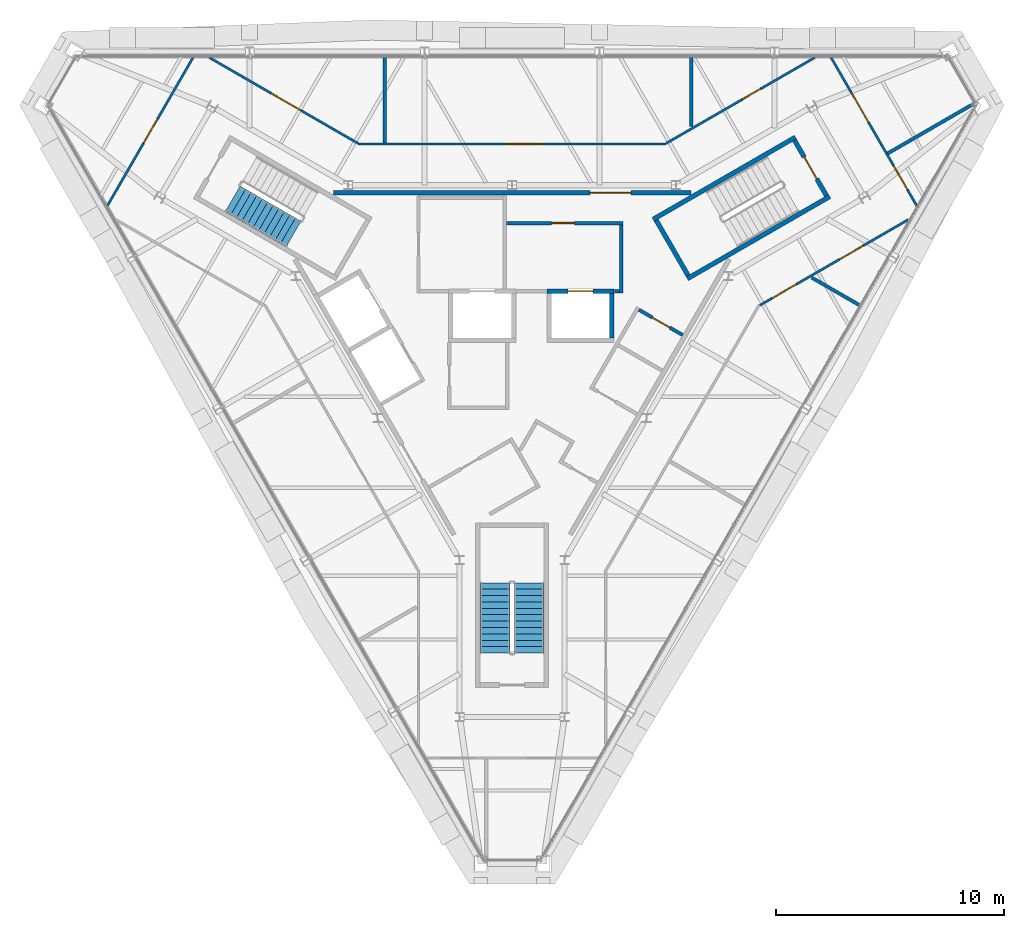
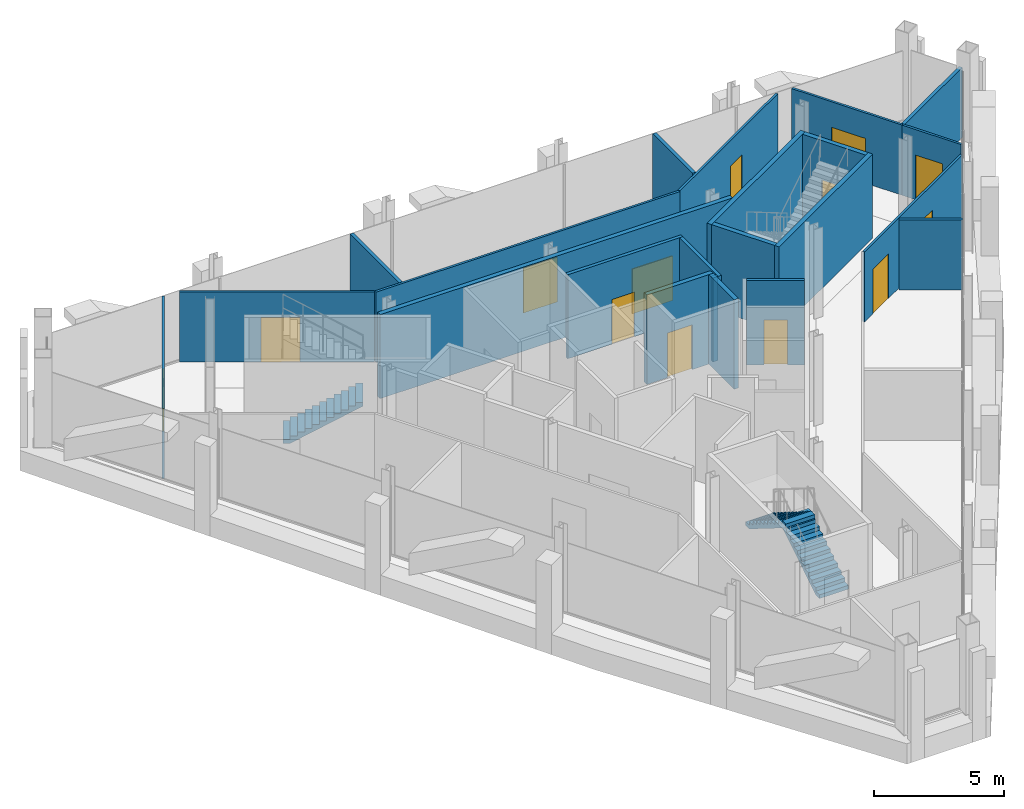
# One storey, part 10 of 13: 22 walls, 13 doors, 3 stair flights, 13 openings, 2 elements without a shape of their own.
"""IFC4 building model written with IfcOpenShell, lengths in metres."""

import ifcopenshell
import ifcopenshell.guid

model = None  # the IFC model being written
_history = None  # IfcOwnerHistory: only IFC2X3 demands one
_inside = {}  # id of a spatial element -> (the spatial element, [elements in it])
_under = {}  # id of a project, library or spatial element -> (it, [spatial elements below it])
_declared = {}  # id of a project -> (the project, [libraries it declares])
_typed = {}  # id of a type object -> (the type object, [elements of that type])
_made_of = {}  # id of a material, layer set ... -> (it, [elements and type objects made of it])


def new_model(schema):
    """Start an empty IFC model of exactly this schema.

    Asked for "IFC4X3", IfcOpenShell would pick the latest addendum, in which some entities
    have other attributes; the version numbers below select the first issue.
    IFC2X3 requires an IfcOwnerHistory on every rooted entity: one is made here for all.
    """
    global model, _history
    if schema == "IFC4X3":
        model = ifcopenshell.file(schema_version=(4, 3, 0, 0))
    else:
        model = ifcopenshell.file(schema=schema)
    _inside.clear()
    _under.clear()
    _declared.clear()
    _typed.clear()
    _made_of.clear()
    _history = None
    if model.schema == "IFC2X3":
        org = make("IfcOrganization", Name="unknown")
        user = make(
            "IfcPersonAndOrganization",
            ThePerson=make("IfcPerson", FamilyName="unknown"),
            TheOrganization=org,
        )
        app = make(
            "IfcApplication",
            ApplicationDeveloper=org,
            Version="unknown",
            ApplicationFullName="unknown",
            ApplicationIdentifier="unknown",
        )
        _history = make(
            "IfcOwnerHistory",
            OwningUser=user,
            OwningApplication=app,
            ChangeAction="ADDED",
            CreationDate=0,
        )
    return model


def make(cls, **values):
    """One entity of the class cls with the attributes given. An attribute that is None is left unset."""
    return model.create_entity(
        cls, **{name: value for name, value in values.items() if value is not None}
    )


def rooted(cls, **values):
    """An entity with a GlobalId (a new one), such as an element, a storey or a relation."""
    return make(cls, GlobalId=ifcopenshell.guid.new(), OwnerHistory=_history, **values)


def si_unit(unit_type, name, prefix=None):
    """IfcSIUnit, for example si_unit("LENGTHUNIT", "METRE", prefix="MILLI")."""
    return make("IfcSIUnit", UnitType=unit_type, Prefix=prefix, Name=name)


def assignment(units):
    """IfcUnitAssignment: the units of a project."""
    return None if units is None else make("IfcUnitAssignment", Units=units)


def point(xyz):
    """IfcCartesianPoint."""
    return None if xyz is None else make("IfcCartesianPoint", Coordinates=xyz)


def direction(xyz):
    """IfcDirection."""
    return None if xyz is None else make("IfcDirection", DirectionRatios=xyz)


def frame(location, z_axis=None, x_axis=None):
    """IfcAxis2Placement3D, a coordinate frame: its origin and axes. An axis left out is left unset."""
    return make(
        "IfcAxis2Placement3D",
        Location=point(location),
        Axis=direction(z_axis),
        RefDirection=direction(x_axis),
    )


def frame_2d(location, x_axis=None):
    """IfcAxis2Placement2D, a coordinate frame in the plane: its origin and x axis."""
    return make(
        "IfcAxis2Placement2D", Location=point(location), RefDirection=direction(x_axis)
    )


def origin():
    """The frame at (0, 0, 0) with its axes left unset."""
    return frame((0.0, 0.0, 0.0))


def place(relative_to, where):
    """IfcLocalPlacement: puts the frame where relative to a parent placement (None: the world)."""
    return make(
        "IfcLocalPlacement", PlacementRelTo=relative_to, RelativePlacement=where
    )


def context(
    kind, dimensions, precision=None, world=None, true_north=None, identifier=None
):
    """IfcGeometricRepresentationContext, for example the 3D "Model" context."""
    return make(
        "IfcGeometricRepresentationContext",
        ContextIdentifier=identifier,
        ContextType=kind,
        CoordinateSpaceDimension=dimensions,
        Precision=precision,
        WorldCoordinateSystem=world,
        TrueNorth=true_north,
    )


def subcontext(parent, identifier, kind, view, scale=None):
    """IfcGeometricRepresentationSubContext, for example "Body" below "Model"."""
    return make(
        "IfcGeometricRepresentationSubContext",
        ContextIdentifier=identifier,
        ContextType=kind,
        ParentContext=parent,
        TargetScale=scale,
        TargetView=view,
    )


def project(units=None, contexts=None):
    """IfcProject with its units and contexts."""
    return rooted(
        "IfcProject",
        Name="project",
        RepresentationContexts=contexts,
        UnitsInContext=assignment(units),
    )


def spatial(cls, under=None, at=None, **own):
    """A site, building, storey or space (cls), placed at a placement, below another one or the project."""
    s = rooted(cls, ObjectPlacement=at, **own)
    if under is not None:
        _under.setdefault(under.id(), (under, []))[1].append(s)
    return s


def polyline(points):
    """IfcPolyline through the points."""
    return make("IfcPolyline", Points=[point(p) for p in points])


def profile(cls, at=None, kind="AREA", **sizes):
    """A parametric profile (cls). Its sizes go by their IFC names, for example OverallWidth=200.0."""
    return make(cls, ProfileType=kind, Position=at, **sizes)


def rectangle(**sizes):
    """IfcRectangleProfileDef."""
    return profile("IfcRectangleProfileDef", **sizes)


def outline(outer, holes=None, kind="AREA"):
    """IfcArbitraryClosedProfileDef: a profile drawn as a closed curve; with holes, ...WithVoids."""
    if holes is None:
        return make("IfcArbitraryClosedProfileDef", ProfileType=kind, OuterCurve=outer)
    return make(
        "IfcArbitraryProfileDefWithVoids",
        ProfileType=kind,
        OuterCurve=outer,
        InnerCurves=holes,
    )


def extrude(swept, where, along, depth):
    """IfcExtrudedAreaSolid: the profile swept, set in the frame where, extruded along a direction by depth."""
    return make(
        "IfcExtrudedAreaSolid",
        SweptArea=swept,
        Position=where,
        ExtrudedDirection=direction(along),
        Depth=depth,
    )


def shape(context_of_items, identifier, shape_type, items):
    """IfcShapeRepresentation: the items that make up one representation, for example the "Body"."""
    return make(
        "IfcShapeRepresentation",
        ContextOfItems=context_of_items,
        RepresentationIdentifier=identifier,
        RepresentationType=shape_type,
        Items=items,
    )


def material(Name=None, Category=None):
    """IfcMaterial."""
    return make("IfcMaterial", Name=Name, Category=Category)


def layer(
    of_material, thickness, ventilated=None, Name=None, Category=None, Priority=None
):
    """IfcMaterialLayer: one layer of a wall or slab, of a material (None: an air gap)."""
    return make(
        "IfcMaterialLayer",
        Material=of_material,
        LayerThickness=thickness,
        IsVentilated=ventilated,
        Name=Name,
        Category=Category,
        Priority=Priority,
    )


def layer_set(layers, Name=None):
    """IfcMaterialLayerSet."""
    return make("IfcMaterialLayerSet", MaterialLayers=layers, LayerSetName=Name)


def made_of(thing, what):
    """Note that an element or type object is made of a material, layer set ...; save() writes the relation."""
    if what is not None:
        _made_of.setdefault(what.id(), (what, []))[1].append(thing)
    return thing


def type_object(cls, material=None, **own):
    """A type object (cls), such as IfcWallType, which elements share."""
    return made_of(rooted(cls, **own), material)


def element(
    cls,
    number,
    at=None,
    inside=None,
    cuts=None,
    type_object=None,
    material=None,
    context=None,
    identifier="Body",
    shape_type=None,
    held_by="IfcProductDefinitionShape",
    body=None,
    shapes=None,
    **own,
):
    """One element of the class cls, such as IfcWall. Its Tag is "e" and its number.

    at: its placement. inside: the storey or other place that contains it. cuts: it is an
    opening in that element (IfcRelVoidsElement). A single representation is given by context,
    identifier, shape_type and body (its items); several are given by shapes. held_by: the class
    of the entity that holds the representations. save() writes the other relations.
    """
    e = rooted(cls, Tag="e%d" % number, ObjectPlacement=at, **own)
    if body is not None:
        shapes = [shape(context, identifier, shape_type, body)]
    if shapes is not None:
        e.Representation = make(held_by, Representations=shapes)
    if inside is not None:
        _inside.setdefault(inside.id(), (inside, []))[1].append(e)
    if cuts is not None:
        rooted(
            "IfcRelVoidsElement", RelatingBuildingElement=cuts, RelatedOpeningElement=e
        )
    if type_object is not None:
        _typed.setdefault(type_object.id(), (type_object, []))[1].append(e)
    return made_of(e, material)


def fill(opening, filler):
    """IfcRelFillsElement: the door or window that sits in an opening."""
    return rooted(
        "IfcRelFillsElement",
        RelatingOpeningElement=opening,
        RelatedBuildingElement=filler,
    )


def aggregate(whole, parts):
    """IfcRelAggregates: a whole, such as a stair, and the parts it consists of."""
    return rooted("IfcRelAggregates", RelatingObject=whole, RelatedObjects=parts)


def save(model, path):
    """Write the relations noted so far, then the file.

    IfcRelAggregates (storeys below a building ...), IfcRelContainedInSpatialStructure (elements
    in a storey), IfcRelDefinesByType, IfcRelAssociatesMaterial and IfcRelDeclares: one each for
    every whole, place, type object, material and project.
    """
    for whole, parts in _under.values():
        aggregate(whole, parts)
    for where, things in _inside.values():
        rooted(
            "IfcRelContainedInSpatialStructure",
            RelatedElements=things,
            RelatingStructure=where,
        )
    for kind, things in _typed.values():
        rooted("IfcRelDefinesByType", RelatedObjects=things, RelatingType=kind)
    for what, things in _made_of.values():
        rooted("IfcRelAssociatesMaterial", RelatedObjects=things, RelatingMaterial=what)
    for by, libraries in _declared.values():
        rooted("IfcRelDeclares", RelatingContext=by, RelatedDefinitions=libraries)
    model.write(path)


model = new_model("IFC4")

# Units and contexts
model_context = context("Model", 3, precision=1e-05, world=origin(), true_north=direction((0.0, 1.0)))
body_context = subcontext(model_context, "Body", "Model", "MODEL_VIEW")
ifc_project = project(units=[si_unit("LENGTHUNIT", "METRE"), si_unit("AREAUNIT", "SQUARE_METRE"), si_unit("VOLUMEUNIT", "CUBIC_METRE"), si_unit("PLANEANGLEUNIT", "RADIAN"), si_unit("MASSUNIT", "GRAM", prefix="KILO")], contexts=[model_context])

# Site, building, storey
site_placement = place(None, origin())
site = spatial("IfcSite", under=ifc_project, at=site_placement, CompositionType="ELEMENT")
building_placement = place(site_placement, origin())
building = spatial("IfcBuilding", under=site, at=building_placement, Name="Verrane Prism Tower", CompositionType="ELEMENT")
storey_placement = place(building_placement, frame((0.0, 0.0, 316.800048828125)))
storey = spatial("IfcBuildingStorey", under=building, at=storey_placement, Name="L80", CompositionType="ELEMENT", Elevation=316.800048828125)

# Wall, opening, door
ifc_material_1 = material(Name="Gypsum board partition", Category="other")
ifc_layer_1 = layer(ifc_material_1, 0.199951171875)
ifc_layer_set_1 = layer_set([ifc_layer_1], Name="CW-200 core boundary wall 2 h")
wall_type_1 = type_object("IfcWallType", Name="CW-200 core boundary wall 2 h", PredefinedType="PARTITIONING", material=ifc_layer_set_1)
wall_1_placement = place(storey_placement, frame((7.8291015625, 6.4599609375, 0.0), z_axis=(0.0, 0.0, 1.0), x_axis=(-1.0, 0.0, 0.0)))
wall_1 = element("IfcWall", 1, at=wall_1_placement, inside=storey, type_object=wall_type_1, Name="Core boundary wall CW3-002", PredefinedType="PARTITIONING", context=body_context, shape_type="SweptSolid", body=[
    extrude(rectangle(XDim=15.658203125, YDim=0.199951171875, at=frame_2d((7.8291015625, 0.0))), origin(), (0.0, 0.0, 1.0), 3.949951171875),
])
opening_1_placement = place(wall_1_placement, frame((2.617919921875, 0.0, 0.0)))
opening_1 = element("IfcOpeningElement", 2, at=opening_1_placement, cuts=wall_1, Name="Opening D80506", PredefinedType="OPENING", context=body_context, shape_type="SweptSolid", body=[
    extrude(rectangle(XDim=1.800048828125, YDim=2.10009765625, at=frame_2d((0.89990234375, 1.050048828125))), frame((0.0, 0.10986328125, 0.0), z_axis=(0.0, -1.0, 0.0), x_axis=(1.0, 0.0, 0.0)), (0.0, 0.0, 1.0), 0.219970703125),
])
ifc_material_2 = material(Name="Timber veneered door leaf", Category="wood")
door_type_1 = type_object("IfcDoorType", Name="DR-1800x2100 FD60 double leaf lift lobby", OperationType="NOTDEFINED", PredefinedType="DOOR", material=ifc_material_2)
door_1_placement = place(opening_1_placement, origin())
door_1 = element("IfcDoor", 3, at=door_1_placement, inside=storey, type_object=door_type_1, Name="Lift lobby door D80506", OperationType="DOUBLE_DOOR_SINGLE_SWING", OverallHeight=2.10009765625, OverallWidth=1.800048828125, PredefinedType="DOOR", context=body_context, shape_type="SweptSolid", body=[
    extrude(rectangle(XDim=1.800048828125, YDim=2.10009765625, at=frame_2d((0.89990234375, 1.050048828125))), frame((0.0, 0.02490234375, 0.0), z_axis=(0.0, -1.0, 0.0), x_axis=(1.0, 0.0, 0.0)), (0.0, 0.0, 1.0), 0.050048828125),
])
fill(opening_1, door_1)

ifc_material_3 = material(Name="Concrete C40/50", Category="concrete")
ifc_layer_2 = layer(ifc_material_3, 0.199951171875)
ifc_layer_set_2 = layer_set([ifc_layer_2], Name="CW-200 stair core wall concrete C40/50 3 h")
wall_type_2 = type_object("IfcWallType", Name="CW-200 stair core wall concrete C40/50 3 h", PredefinedType="PARTITIONING", material=ifc_layer_set_2)
wall_2_placement = place(storey_placement, frame((13.777099609375, 6.337646484375, 0.0), z_axis=(0.0, 0.0, 1.0), x_axis=(-0.500049511043, 0.865996816683, 0.0)))
wall_2 = element("IfcWall", 4, at=wall_2_placement, inside=storey, type_object=wall_type_2, Name="Stair 1 enclosure wall", PredefinedType="PARTITIONING", context=body_context, shape_type="SweptSolid", body=[
    extrude(rectangle(XDim=2.800048828125, YDim=0.199951171875, at=frame_2d((1.39990234375, 0.0))), origin(), (0.0, 0.0, 1.0), 3.949951171875),
])
opening_2_placement = place(wall_2_placement, frame((0.849853515625, 0.0, 0.0)))
opening_2 = element("IfcOpeningElement", 5, at=opening_2_placement, cuts=wall_2, Name="Opening D80500", PredefinedType="OPENING", context=body_context, shape_type="SweptSolid", body=[
    extrude(rectangle(XDim=1.10009765625, YDim=2.10009765625, at=frame_2d((0.550048828125, 1.050048828125))), frame((0.0, 0.10986328125, 0.0), z_axis=(0.0, -1.0, 0.0), x_axis=(1.0, 0.0, 0.0)), (0.0, 0.0, 1.0), 0.219970703125),
])
ifc_material_4 = material(Name="Timber veneered door leaf", Category="wood")
door_type_2 = type_object("IfcDoorType", Name="DR-1100x2100 FD90 single leaf stair", OperationType="NOTDEFINED", PredefinedType="DOOR", material=ifc_material_4)
door_2_placement = place(opening_2_placement, origin())
door_2 = element("IfcDoor", 6, at=door_2_placement, inside=storey, type_object=door_type_2, Name="Stair 1 door", OperationType="SINGLE_SWING_LEFT", OverallHeight=2.10009765625, OverallWidth=1.10009765625, PredefinedType="DOOR", context=body_context, shape_type="SweptSolid", body=[
    extrude(rectangle(XDim=1.10009765625, YDim=2.10009765625, at=frame_2d((0.550048828125, 1.050048828125))), frame((0.0, 0.02490234375, 0.0), z_axis=(0.0, -1.0, 0.0), x_axis=(1.0, 0.0, 0.0)), (0.0, 0.0, 1.0), 0.050048828125),
])
fill(opening_2, door_2)

# Walls
for number, where, z_axis, x_axis, name in (
    (7, (6.17822265625, 5.299072265625, 0.0), (0.0, 0.0, 1.0), (0.866033125095, 0.499986626058, 0.0), "Stair 1 enclosure wall"),
    (8, (7.67822265625, 2.700927734375, 0.0), (0.0, 0.0, 1.0), (0.866018442252, 0.500012057535, 0.0), "Stair 1 enclosure wall"),
):
    element("IfcWall", number, at=place(storey_placement, frame(where, z_axis=z_axis, x_axis=x_axis)), inside=storey, type_object=wall_type_2, Name=name, PredefinedType="PARTITIONING", context=body_context, shape_type="SweptSolid", body=[
        extrude(rectangle(XDim=7.199951171875, YDim=0.199951171875, at=frame_2d((3.60009765625, 0.0))), origin(), (0.0, 0.0, 1.0), 3.949951171875),
    ])
wall_3_placement = place(storey_placement, frame((7.71484375, 2.837646484375, 0.0), z_axis=(0.0, 0.0, 1.0), x_axis=(-0.500049511043, 0.865996816683, 0.0)))
element("IfcWall", 9, at=wall_3_placement, inside=storey, type_object=wall_type_2, Name="Stair 1 enclosure wall", PredefinedType="PARTITIONING", context=body_context, shape_type="SweptSolid", body=[
    extrude(rectangle(XDim=2.800048828125, YDim=0.199951171875, at=frame_2d((1.39990234375, 0.0))), origin(), (0.0, 0.0, 1.0), 3.949951171875),
])

# Wall, opening, door
ifc_material_5 = material(Name="Gypsum board shaft wall assembly", Category="other")
ifc_layer_3 = layer(ifc_material_5, 0.199951171875)
ifc_layer_set_3 = layer_set([ifc_layer_3], Name="HW-200 lift shaft wall 2 h")
wall_type_3 = type_object("IfcWallType", Name="HW-200 lift shaft wall 2 h", PredefinedType="PARTITIONING", material=ifc_layer_set_3)
wall_4_placement = place(storey_placement, frame((1.52490234375, 2.14990234375, 0.0), z_axis=(0.0, 0.0, 1.0), x_axis=(1.0, 0.0, 0.0)))
wall_4 = element("IfcWall", 10, at=wall_4_placement, inside=storey, type_object=wall_type_3, Name="Lift shaft wall", PredefinedType="PARTITIONING", context=body_context, shape_type="SweptSolid", body=[
    extrude(rectangle(XDim=2.9501953125, YDim=0.199951171875, at=frame_2d((1.47509765625, 0.0))), origin(), (0.0, 0.0, 1.0), 4.199951171875),
])
opening_3_placement = place(wall_4_placement, frame((0.925048828125, 0.0, 0.0)))
opening_3 = element("IfcOpeningElement", 11, at=opening_3_placement, cuts=wall_4, Name="Opening D80504", PredefinedType="OPENING", context=body_context, shape_type="SweptSolid", body=[
    extrude(rectangle(XDim=1.10009765625, YDim=2.10009765625, at=frame_2d((0.550048828125, 1.050048828125))), frame((0.0, 0.10986328125, 0.0), z_axis=(0.0, -1.0, 0.0), x_axis=(1.0, 0.0, 0.0)), (0.0, 0.0, 1.0), 0.219970703125),
])
ifc_material_6 = material(Name="Stainless steel sliding landing door", Category="steel")
door_type_3 = type_object("IfcDoorType", Name="LD-1100x2100 lift landing door FD90 sliding", OperationType="NOTDEFINED", PredefinedType="DOOR", material=ifc_material_6)
door_3_placement = place(opening_3_placement, origin())
door_3 = element("IfcDoor", 12, at=door_3_placement, inside=storey, type_object=door_type_3, Name="Fire service lift 2 landing door", OperationType="SLIDING_TO_RIGHT", OverallHeight=2.10009765625, OverallWidth=1.10009765625, PredefinedType="DOOR", context=body_context, shape_type="SweptSolid", body=[
    extrude(rectangle(XDim=1.10009765625, YDim=2.10009765625, at=frame_2d((0.550048828125, 1.050048828125))), frame((0.0, 0.02490234375, 0.0), z_axis=(0.0, -1.0, 0.0), x_axis=(1.0, 0.0, 0.0)), (0.0, 0.0, 1.0), 0.050048828125),
])
fill(opening_3, door_3)

# Wall
wall_5_placement = place(storey_placement, frame((4.375, 0.10009765625, 0.0), z_axis=(0.0, 0.0, 1.0), x_axis=(0.0, 1.0, 0.0)))
element("IfcWall", 13, at=wall_5_placement, inside=storey, type_object=wall_type_3, Name="Lift shaft wall", PredefinedType="PARTITIONING", context=body_context, shape_type="SweptSolid", body=[
    extrude(rectangle(XDim=1.949951171875, YDim=0.199951171875, at=frame_2d((0.97509765625, 0.0))), origin(), (0.0, 0.0, 1.0), 4.199951171875),
])

# Wall, opening, door
ifc_material_7 = material(Name="Gypsum board partition", Category="other")
ifc_layer_4 = layer(ifc_material_7, 0.14990234375)
ifc_layer_set_4 = layer_set([ifc_layer_4], Name="LF-150 firefighting lobby wall 1 h")
wall_type_4 = type_object("IfcWallType", Name="LF-150 firefighting lobby wall 1 h", PredefinedType="PARTITIONING", material=ifc_layer_set_4)
wall_6_placement = place(storey_placement, frame((-0.2451171875, 5.139892578125, 0.0), z_axis=(0.0, 0.0, 1.0), x_axis=(1.0, 0.0, 0.0)))
wall_6 = element("IfcWall", 14, at=wall_6_placement, inside=storey, type_object=wall_type_4, Name="Firefighting lobby wall LF1-005", PredefinedType="PARTITIONING", context=body_context, shape_type="SweptSolid", body=[
    extrude(rectangle(XDim=5.110107421875, YDim=0.14990234375, at=frame_2d((2.55517578125, 0.0))), origin(), (0.0, 0.0, 1.0), 3.949951171875),
])
opening_4_placement = place(wall_6_placement, frame((1.97509765625, 0.0, 0.0)))
opening_4 = element("IfcOpeningElement", 15, at=opening_4_placement, cuts=wall_6, Name="Opening D80512", PredefinedType="OPENING", context=body_context, shape_type="SweptSolid", body=[
    extrude(rectangle(XDim=1.0, YDim=2.10009765625, at=frame_2d((0.5, 1.050048828125))), frame((0.0, 0.0849609375, 0.0), z_axis=(0.0, -1.0, 0.0), x_axis=(1.0, 0.0, 0.0)), (0.0, 0.0, 1.0), 0.169921875),
])
ifc_material_8 = material(Name="Timber veneered door leaf", Category="wood")
door_type_4 = type_object("IfcDoorType", Name="DR-1000x2100 FD60 single leaf firefighting lobby", OperationType="NOTDEFINED", PredefinedType="DOOR", material=ifc_material_8)
door_4_placement = place(opening_4_placement, origin())
door_4 = element("IfcDoor", 16, at=door_4_placement, inside=storey, type_object=door_type_4, Name="Firefighting lobby door D80512", OperationType="SINGLE_SWING_RIGHT", OverallHeight=2.10009765625, OverallWidth=1.0, PredefinedType="DOOR", context=body_context, shape_type="SweptSolid", body=[
    extrude(rectangle(XDim=1.0, YDim=2.10009765625, at=frame_2d((0.5, 1.050048828125))), frame((0.0, 0.02490234375, 0.0), z_axis=(0.0, -1.0, 0.0), x_axis=(1.0, 0.0, 0.0)), (0.0, 0.0, 1.0), 0.050048828125),
])
fill(opening_4, door_4)

# Walls
wall_7_placement = place(storey_placement, frame((4.47705078125, 2.159912109375, 0.0), z_axis=(0.0, 0.0, 1.0), x_axis=(1.0, 0.0, 0.0)))
element("IfcWall", 17, at=wall_7_placement, inside=storey, type_object=wall_type_4, Name="Firefighting lobby wall LF1-007", PredefinedType="PARTITIONING", context=body_context, shape_type="SweptSolid", body=[
    extrude(rectangle(XDim=0.238037109375, YDim=0.14990234375, at=frame_2d((0.119140625, 0.0))), origin(), (0.0, 0.0, 1.0), 3.949951171875),
])
wall_8_placement = place(storey_placement, frame((4.7900390625, 2.0849609375, 0.0), z_axis=(0.0, 0.0, 1.0), x_axis=(0.0, 1.0, 0.0)))
element("IfcWall", 18, at=wall_8_placement, inside=storey, type_object=wall_type_4, Name="Firefighting lobby wall LF1-008", PredefinedType="PARTITIONING", context=body_context, shape_type="SweptSolid", body=[
    extrude(rectangle(XDim=2.97998046875, YDim=0.14990234375, at=frame_2d((1.489990234375, 0.0))), origin(), (0.0, 0.0, 1.0), 3.949951171875),
])

# Wall, opening, door
ifc_material_9 = material(Name="Gypsum board partition", Category="other")
ifc_layer_5 = layer(ifc_material_9, 0.10009765625)
ifc_layer_set_5 = layer_set([ifc_layer_5], Name="PW-100 crown corridor wall 1 h")
wall_type_5 = type_object("IfcWallType", Name="PW-100 crown corridor wall 1 h", PredefinedType="PARTITIONING", material=ifc_layer_set_5)
wall_9_placement = place(storey_placement, frame((-17.73046875, 5.8935546875, 0.0), z_axis=(0.0, 0.0, 1.0), x_axis=(0.500350572687, 0.865822905918, 0.0)))
wall_9 = element("IfcWall", 19, at=wall_9_placement, inside=storey, type_object=wall_type_5, Name="Corridor wall 001", PredefinedType="PARTITIONING", context=body_context, shape_type="SweptSolid", body=[
    extrude(rectangle(XDim=7.5244140625, YDim=0.10009765625, at=frame_2d((3.76220703125, 0.0))), origin(), (0.0, 0.0, 1.0), 3.296875),
])
opening_5_placement = place(wall_9_placement, frame((3.1787109375, 0.0, 0.0)))
opening_5 = element("IfcOpeningElement", 20, at=opening_5_placement, cuts=wall_9, Name="Opening D80004", PredefinedType="OPENING", context=body_context, shape_type="SweptSolid", body=[
    extrude(rectangle(XDim=1.199951171875, YDim=2.10009765625, at=frame_2d((0.60009765625, 1.050048828125))), frame((0.0, 0.06005859375, 0.0), z_axis=(0.0, -1.0, 0.0), x_axis=(1.0, 0.0, 0.0)), (0.0, 0.0, 1.0), 0.1201171875),
])
ifc_material_10 = material(Name="Timber veneered door leaf", Category="wood")
door_type_5 = type_object("IfcDoorType", Name="DR-1200x2100 FD60 single leaf unit", OperationType="NOTDEFINED", PredefinedType="DOOR", material=ifc_material_10)
door_5_placement = place(opening_5_placement, origin())
door_5 = element("IfcDoor", 21, at=door_5_placement, inside=storey, type_object=door_type_5, Name="Electrical Switch Room door", OperationType="SINGLE_SWING_RIGHT", OverallHeight=2.10009765625, OverallWidth=1.199951171875, PredefinedType="DOOR", context=body_context, shape_type="SweptSolid", body=[
    extrude(rectangle(XDim=1.199951171875, YDim=2.10009765625, at=frame_2d((0.60009765625, 1.050048828125))), frame((0.0, 0.02490234375, 0.0), z_axis=(0.0, -1.0, 0.0), x_axis=(1.0, 0.0, 0.0)), (0.0, 0.0, 1.0), 0.050048828125),
])
fill(opening_5, door_5)

wall_10_placement = place(storey_placement, frame((-13.264892578125, 12.390625, 0.0), z_axis=(0.0, 0.0, 1.0), x_axis=(0.866073029218, -0.499917501255, 0.0)))
wall_10 = element("IfcWall", 22, at=wall_10_placement, inside=storey, type_object=wall_type_5, Name="Corridor wall 003", PredefinedType="PARTITIONING", context=body_context, shape_type="SweptSolid", body=[
    extrude(rectangle(XDim=7.512451171875, YDim=0.10009765625, at=frame_2d((3.75634765625, 0.0))), origin(), (0.0, 0.0, 1.0), 3.296875),
])
opening_6_placement = place(wall_10_placement, frame((3.136962890625, 0.0, 0.0)))
opening_6 = element("IfcOpeningElement", 23, at=opening_6_placement, cuts=wall_10, Name="Opening D80003", PredefinedType="OPENING", context=body_context, shape_type="SweptSolid", body=[
    extrude(rectangle(XDim=1.5, YDim=2.10009765625, at=frame_2d((0.75, 1.050048828125))), frame((0.0, 0.06005859375, 0.0), z_axis=(0.0, -1.0, 0.0), x_axis=(1.0, 0.0, 0.0)), (0.0, 0.0, 1.0), 0.1201171875),
])
ifc_material_11 = material(Name="Timber veneered door leaf", Category="wood")
door_type_6 = type_object("IfcDoorType", Name="DR-1500x2100 FD60 double leaf unit", OperationType="NOTDEFINED", PredefinedType="DOOR", material=ifc_material_11)
door_6_placement = place(opening_6_placement, origin())
door_6 = element("IfcDoor", 24, at=door_6_placement, inside=storey, type_object=door_type_6, Name="Mechanical Plant Room door", OperationType="DOUBLE_DOOR_SINGLE_SWING", OverallHeight=2.10009765625, OverallWidth=1.5, PredefinedType="DOOR", context=body_context, shape_type="SweptSolid", body=[
    extrude(rectangle(XDim=1.5, YDim=2.10009765625, at=frame_2d((0.75, 1.050048828125))), frame((0.0, 0.02490234375, 0.0), z_axis=(0.0, -1.0, 0.0), x_axis=(1.0, 0.0, 0.0)), (0.0, 0.0, 1.0), 0.050048828125),
])
fill(opening_6, door_6)

wall_11_placement = place(storey_placement, frame((-6.748046875, 8.60009765625, 0.0), z_axis=(0.0, 0.0, 1.0), x_axis=(1.0, 0.0, 0.0)))
wall_11 = element("IfcWall", 25, at=wall_11_placement, inside=storey, type_object=wall_type_5, Name="Corridor wall 006", PredefinedType="PARTITIONING", context=body_context, shape_type="SweptSolid", body=[
    extrude(rectangle(XDim=13.49609375, YDim=0.10009765625, at=frame_2d((6.748046875, 0.0))), origin(), (0.0, 0.0, 1.0), 3.296875),
])
opening_7_placement = place(wall_11_placement, frame((6.56298828125, 0.0, 0.0)))
opening_7 = element("IfcOpeningElement", 26, at=opening_7_placement, cuts=wall_11, Name="Opening D80002", PredefinedType="OPENING", context=body_context, shape_type="SweptSolid", body=[
    extrude(rectangle(XDim=1.5, YDim=2.10009765625, at=frame_2d((0.75, 1.050048828125))), frame((0.0, 0.06005859375, 0.0), z_axis=(0.0, -1.0, 0.0), x_axis=(1.0, 0.0, 0.0)), (0.0, 0.0, 1.0), 0.1201171875),
])
door_7_placement = place(opening_7_placement, origin())
door_7 = element("IfcDoor", 27, at=door_7_placement, inside=storey, type_object=door_type_6, Name="Mechanical Plant Room door", OperationType="DOUBLE_DOOR_SINGLE_SWING", OverallHeight=2.10009765625, OverallWidth=1.5, PredefinedType="DOOR", context=body_context, shape_type="SweptSolid", body=[
    extrude(rectangle(XDim=1.5, YDim=2.10009765625, at=frame_2d((0.75, 1.050048828125))), frame((0.0, 0.02490234375, 0.0), z_axis=(0.0, -1.0, 0.0), x_axis=(1.0, 0.0, 0.0)), (0.0, 0.0, 1.0), 0.050048828125),
])
fill(opening_7, door_7)

wall_12_placement = place(storey_placement, frame((6.758544921875, 8.635009765625, 0.0), z_axis=(0.0, 0.0, 1.0), x_axis=(0.866073029218, 0.499917501255, 0.0)))
wall_12 = element("IfcWall", 28, at=wall_12_placement, inside=storey, type_object=wall_type_5, Name="Corridor wall 014", PredefinedType="PARTITIONING", context=body_context, shape_type="SweptSolid", body=[
    extrude(rectangle(XDim=7.512451171875, YDim=0.10009765625, at=frame_2d((3.75634765625, 0.0))), origin(), (0.0, 0.0, 1.0), 3.296875),
])
opening_8_placement = place(wall_12_placement, frame((3.867919921875, 0.0, 0.0)))
opening_8 = element("IfcOpeningElement", 29, at=opening_8_placement, cuts=wall_12, Name="Opening D80012", PredefinedType="OPENING", context=body_context, shape_type="SweptSolid", body=[
    extrude(rectangle(XDim=0.89990234375, YDim=2.10009765625, at=frame_2d((0.449951171875, 1.050048828125))), frame((0.0, 0.06005859375, 0.0), z_axis=(0.0, -1.0, 0.0), x_axis=(1.0, 0.0, 0.0)), (0.0, 0.0, 1.0), 0.1201171875),
])
ifc_material_12 = material(Name="Timber veneered door leaf", Category="wood")
door_type_7 = type_object("IfcDoorType", Name="DR-900x2100 FD20 single leaf service", OperationType="NOTDEFINED", PredefinedType="DOOR", material=ifc_material_12)
door_8_placement = place(opening_8_placement, origin())
door_8 = element("IfcDoor", 30, at=door_8_placement, inside=storey, type_object=door_type_7, Name="Linen Store door", OperationType="SINGLE_SWING_RIGHT", OverallHeight=2.10009765625, OverallWidth=0.89990234375, PredefinedType="DOOR", context=body_context, shape_type="SweptSolid", body=[
    extrude(rectangle(XDim=0.89990234375, YDim=2.10009765625, at=frame_2d((0.449951171875, 1.050048828125))), frame((0.0, 0.02490234375, 0.0), z_axis=(0.0, -1.0, 0.0), x_axis=(1.0, 0.0, 0.0)), (0.0, 0.0, 1.0), 0.050048828125),
])
fill(opening_8, door_8)

# Wall, openings, doors
wall_13_placement = place(storey_placement, frame((17.361328125, 5.2900390625, 0.0), z_axis=(0.0, 0.0, 1.0), x_axis=(-0.866105995393, -0.499860385252, 0.0)))
wall_13 = element("IfcWall", 31, at=wall_13_placement, inside=storey, type_object=wall_type_5, Name="Corridor wall 017", PredefinedType="PARTITIONING", context=body_context, shape_type="SweptSolid", body=[
    extrude(rectangle(XDim=7.508056640625, YDim=0.10009765625, at=frame_2d((3.75390625, 0.0))), origin(), (0.0, 0.0, 1.0), 3.296875),
])
opening_9_placement = place(wall_13_placement, frame((5.677978515625, 0.0, 0.0)))
opening_9 = element("IfcOpeningElement", 32, at=opening_9_placement, cuts=wall_13, Name="Opening D80010", PredefinedType="OPENING", context=body_context, shape_type="SweptSolid", body=[
    extrude(rectangle(XDim=1.199951171875, YDim=2.10009765625, at=frame_2d((0.60009765625, 1.050048828125))), frame((0.0, 0.06005859375, 0.0), z_axis=(0.0, -1.0, 0.0), x_axis=(1.0, 0.0, 0.0)), (0.0, 0.0, 1.0), 0.1201171875),
])
opening_10_placement = place(wall_13_placement, frame((2.283935546875, 0.0, 0.0)))
opening_10 = element("IfcOpeningElement", 33, at=opening_10_placement, cuts=wall_13, Name="Opening D80014", PredefinedType="OPENING", context=body_context, shape_type="SweptSolid", body=[
    extrude(rectangle(XDim=1.199951171875, YDim=2.10009765625, at=frame_2d((0.60009765625, 1.050048828125))), frame((0.0, 0.06005859375, 0.0), z_axis=(0.0, -1.0, 0.0), x_axis=(1.0, 0.0, 0.0)), (0.0, 0.0, 1.0), 0.1201171875),
])
door_9_placement = place(opening_9_placement, origin())
door_9 = element("IfcDoor", 34, at=door_9_placement, inside=storey, type_object=door_type_5, Name="Lift Machine Room door", OperationType="SINGLE_SWING_LEFT", OverallHeight=2.10009765625, OverallWidth=1.199951171875, PredefinedType="DOOR", context=body_context, shape_type="SweptSolid", body=[
    extrude(rectangle(XDim=1.199951171875, YDim=2.10009765625, at=frame_2d((0.60009765625, 1.050048828125))), frame((0.0, 0.02490234375, 0.0), z_axis=(0.0, -1.0, 0.0), x_axis=(1.0, 0.0, 0.0)), (0.0, 0.0, 1.0), 0.050048828125),
])
fill(opening_9, door_9)
door_10_placement = place(opening_10_placement, origin())
door_10 = element("IfcDoor", 35, at=door_10_placement, inside=storey, type_object=door_type_5, Name="Lift Machine Room door", OperationType="SINGLE_SWING_RIGHT", OverallHeight=2.10009765625, OverallWidth=1.199951171875, PredefinedType="DOOR", context=body_context, shape_type="SweptSolid", body=[
    extrude(rectangle(XDim=1.199951171875, YDim=2.10009765625, at=frame_2d((0.60009765625, 1.050048828125))), frame((0.0, 0.02490234375, 0.0), z_axis=(0.0, -1.0, 0.0), x_axis=(1.0, 0.0, 0.0)), (0.0, 0.0, 1.0), 0.050048828125),
])
fill(opening_10, door_10)

# Wall, opening, door
wall_14_placement = place(storey_placement, frame((13.965576171875, 12.408447265625, 0.0), z_axis=(0.0, 0.0, 1.0), x_axis=(0.500399645014, -0.865794545646, 0.0)))
wall_14 = element("IfcWall", 36, at=wall_14_placement, inside=storey, type_object=wall_type_5, Name="Corridor wall 019", PredefinedType="PARTITIONING", context=body_context, shape_type="SweptSolid", body=[
    extrude(rectangle(XDim=4.89892578125, YDim=0.10009765625, at=frame_2d((2.449462890625, 0.0))), origin(), (0.0, 0.0, 1.0), 3.296875),
])
opening_11_placement = place(wall_14_placement, frame((1.77880859375, 0.0, 0.0)))
opening_11 = element("IfcOpeningElement", 37, at=opening_11_placement, cuts=wall_14, Name="Opening D80001", PredefinedType="OPENING", context=body_context, shape_type="SweptSolid", body=[
    extrude(rectangle(XDim=1.5, YDim=2.10009765625, at=frame_2d((0.75, 1.050048828125))), frame((0.0, 0.06005859375, 0.0), z_axis=(0.0, -1.0, 0.0), x_axis=(1.0, 0.0, 0.0)), (0.0, 0.0, 1.0), 0.1201171875),
])
door_11_placement = place(opening_11_placement, origin())
door_11 = element("IfcDoor", 38, at=door_11_placement, inside=storey, type_object=door_type_6, Name="Mechanical Plant Room door", OperationType="DOUBLE_DOOR_SINGLE_SWING", OverallHeight=2.10009765625, OverallWidth=1.5, PredefinedType="DOOR", context=body_context, shape_type="SweptSolid", body=[
    extrude(rectangle(XDim=1.5, YDim=2.10009765625, at=frame_2d((0.75, 1.050048828125))), frame((0.0, 0.02490234375, 0.0), z_axis=(0.0, -1.0, 0.0), x_axis=(1.0, 0.0, 0.0)), (0.0, 0.0, 1.0), 0.050048828125),
])
fill(opening_11, door_11)

wall_15_placement = place(storey_placement, frame((16.41796875, 8.166015625, 0.0), z_axis=(0.0, 0.0, 1.0), x_axis=(0.500141194934, -0.865943869503, 0.0)))
wall_15 = element("IfcWall", 39, at=wall_15_placement, inside=storey, type_object=wall_type_5, Name="Corridor wall 020", PredefinedType="PARTITIONING", context=body_context, shape_type="SweptSolid", body=[
    extrude(rectangle(XDim=2.624267578125, YDim=0.10009765625, at=frame_2d((1.31201171875, 0.0))), origin(), (0.0, 0.0, 1.0), 3.296875),
])
opening_12_placement = place(wall_15_placement, frame((0.60009765625, 0.0, 0.0)))
opening_12 = element("IfcOpeningElement", 40, at=opening_12_placement, cuts=wall_15, Name="Opening D80011", PredefinedType="OPENING", context=body_context, shape_type="SweptSolid", body=[
    extrude(rectangle(XDim=1.199951171875, YDim=2.10009765625, at=frame_2d((0.60009765625, 1.050048828125))), frame((0.0, 0.06005859375, 0.0), z_axis=(0.0, -1.0, 0.0), x_axis=(1.0, 0.0, 0.0)), (0.0, 0.0, 1.0), 0.1201171875),
])
door_12_placement = place(opening_12_placement, origin())
door_12 = element("IfcDoor", 41, at=door_12_placement, inside=storey, type_object=door_type_5, Name="Lift Machine Room door", OperationType="SINGLE_SWING_LEFT", OverallHeight=2.10009765625, OverallWidth=1.199951171875, PredefinedType="DOOR", context=body_context, shape_type="SweptSolid", body=[
    extrude(rectangle(XDim=1.199951171875, YDim=2.10009765625, at=frame_2d((0.60009765625, 1.050048828125))), frame((0.0, 0.02490234375, 0.0), z_axis=(0.0, -1.0, 0.0), x_axis=(1.0, 0.0, 0.0)), (0.0, 0.0, 1.0), 0.050048828125),
])
fill(opening_12, door_12)

# Walls
ifc_material_13 = material(Name="Gypsum board partition", Category="other")
ifc_layer_6 = layer(ifc_material_13, 0.14990234375)
ifc_layer_set_6 = layer_set([ifc_layer_6], Name="PW-150 demising wall 1 h")
wall_type_6 = type_object("IfcWallType", Name="PW-150 demising wall 1 h", PredefinedType="PARTITIONING", material=ifc_layer_set_6)
wall_16_placement = place(storey_placement, frame((-5.5849609375, 8.64990234375, 0.0), z_axis=(0.0, 0.0, 1.0), x_axis=(0.0, 1.0, 0.0)))
element("IfcWall", 42, at=wall_16_placement, inside=storey, type_object=wall_type_6, Name="Demising wall 008", PredefinedType="PARTITIONING", context=body_context, shape_type="SweptSolid", body=[
    extrude(rectangle(XDim=3.783203125, YDim=0.14990234375, at=frame_2d((1.8916015625, 0.0))), origin(), (0.0, 0.0, 1.0), 3.296875),
])
wall_17_placement = place(storey_placement, frame((7.85693359375, 9.3701171875, 0.0), z_axis=(0.0, 0.0, 1.0), x_axis=(0.0, 1.0, 0.0)))
element("IfcWall", 43, at=wall_17_placement, inside=storey, type_object=wall_type_6, Name="Demising wall 016", PredefinedType="PARTITIONING", context=body_context, shape_type="SweptSolid", body=[
    extrude(rectangle(XDim=3.06298828125, YDim=0.14990234375, at=frame_2d((1.531494140625, 0.0))), origin(), (0.0, 0.0, 1.0), 3.296875),
])
wall_18_placement = place(storey_placement, frame((13.131591796875, 2.74853515625, 0.0), z_axis=(0.0, 0.0, 1.0), x_axis=(0.86593842012, -0.50015062987, 0.0)))
element("IfcWall", 44, at=wall_18_placement, inside=storey, type_object=wall_type_6, Name="Demising wall 018", PredefinedType="PARTITIONING", context=body_context, shape_type="SweptSolid", body=[
    extrude(rectangle(XDim=2.434814453125, YDim=0.14990234375, at=frame_2d((1.21728515625, 0.0))), origin(), (0.0, 0.0, 1.0), 3.296875),
])
wall_19_placement = place(storey_placement, frame((16.461181640625, 8.19091796875, 0.0), z_axis=(0.0, 0.0, 1.0), x_axis=(0.865849090599, 0.500305259125, 0.0)))
element("IfcWall", 45, at=wall_19_placement, inside=storey, type_object=wall_type_6, Name="Demising wall 021", PredefinedType="PARTITIONING", context=body_context, shape_type="SweptSolid", body=[
    extrude(rectangle(XDim=4.411376953125, YDim=0.14990234375, at=frame_2d((2.20556640625, 0.0))), origin(), (0.0, 0.0, 1.0), 3.296875),
])

# Wall, opening, door
ifc_material_14 = material(Name="Gypsum board partition", Category="other")
ifc_layer_7 = layer(ifc_material_14, 0.14990234375)
ifc_layer_set_7 = layer_set([ifc_layer_7], Name="RS-150 riser enclosure wall 1 h")
wall_type_7 = type_object("IfcWallType", Name="RS-150 riser enclosure wall 1 h", PredefinedType="PARTITIONING", material=ifc_layer_set_7)
wall_20_placement = place(storey_placement, frame((7.477294921875, 0.23193359375, 0.0), z_axis=(0.0, 0.0, 1.0), x_axis=(-0.865944298464, 0.500140452231, 0.0)))
wall_20 = element("IfcWall", 46, at=wall_20_placement, inside=storey, type_object=wall_type_7, Name="Riser wall RS3-016", PredefinedType="PARTITIONING", context=body_context, shape_type="SweptSolid", body=[
    extrude(rectangle(XDim=2.224365234375, YDim=0.14990234375, at=frame_2d((1.1123046875, 0.0))), origin(), (0.0, 0.0, 1.0), 3.949951171875),
])
opening_13_placement = place(wall_20_placement, frame((0.649658203125, 0.0, 0.0)))
opening_13 = element("IfcOpeningElement", 47, at=opening_13_placement, cuts=wall_20, Name="Opening D80515", PredefinedType="OPENING", context=body_context, shape_type="SweptSolid", body=[
    extrude(rectangle(XDim=0.89990234375, YDim=2.10009765625, at=frame_2d((0.449951171875, 1.050048828125))), frame((0.0, 0.0849609375, 0.0), z_axis=(0.0, -1.0, 0.0), x_axis=(1.0, 0.0, 0.0)), (0.0, 0.0, 1.0), 0.169921875),
])
ifc_material_15 = material(Name="Timber veneered door leaf", Category="wood")
door_type_8 = type_object("IfcDoorType", Name="DR-900x2100 FD60 single leaf riser", OperationType="NOTDEFINED", PredefinedType="DOOR", material=ifc_material_15)
door_13_placement = place(opening_13_placement, origin())
door_13 = element("IfcDoor", 48, at=door_13_placement, inside=storey, type_object=door_type_8, Name="Riser door D80515", OperationType="SINGLE_SWING_RIGHT", OverallHeight=2.10009765625, OverallWidth=0.89990234375, PredefinedType="DOOR", context=body_context, shape_type="SweptSolid", body=[
    extrude(rectangle(XDim=0.89990234375, YDim=2.10009765625, at=frame_2d((0.449951171875, 1.050048828125))), frame((0.0, 0.02490234375, 0.0), z_axis=(0.0, -1.0, 0.0), x_axis=(1.0, 0.0, 0.0)), (0.0, 0.0, 1.0), 0.050048828125),
])
fill(opening_13, door_13)

# Stair, stair flight
ifc_material_16 = material(Name="Concrete C40/50", Category="concrete")
stair_type = type_object("IfcStairType", Name="Exit stair 1300 dog-leg precast concrete C40/50", PredefinedType="HALF_TURN_STAIR", material=ifc_material_16)
stair_1_placement = place(storey_placement, origin())
stair_1 = element("IfcStair", 49, at=stair_1_placement, inside=storey, type_object=stair_type, Name="Stair 2 L80", PredefinedType="HALF_TURN_STAIR")
ifc_material_17 = material(Name="Concrete C40/50", Category="concrete")
stair_flight_type = type_object("IfcStairFlightType", Name="Stair flight 1300 precast concrete C40/50", PredefinedType="STRAIGHT", material=ifc_material_17)
stair_flight_1_placement = place(storey_placement, frame((-12.239501953125, 6.200439453125, 0.0), z_axis=(0.0, 0.0, 1.0), x_axis=(0.866025403784, -0.5, 0.0)))
stair_flight_1 = element("IfcStairFlight", 50, at=stair_flight_1_placement, type_object=stair_flight_type, Name="Stair 2 flight 1", NumberOfRisers=12, NumberOfTreads=11, PredefinedType="STRAIGHT", RiserHeight=0.175, TreadLength=0.28, context=body_context, shape_type="SweptSolid", body=[
    extrude(outline(polyline([(0.0, 0.0), (0.0, 0.175048828125), (0.280029296875, 0.175048828125), (0.280029296875, 0.35009765625), (0.56005859375, 0.35009765625), (0.56005859375, 0.52490234375), (0.840087890625, 0.52490234375), (0.840087890625, 0.699951171875), (1.1201171875, 0.699951171875), (1.1201171875, 0.875), (1.39990234375, 0.875), (1.39990234375, 1.050048828125), (1.679931640625, 1.050048828125), (1.679931640625, 1.22509765625), (1.9599609375, 1.22509765625), (1.9599609375, 1.39990234375), (2.239990234375, 1.39990234375), (2.239990234375, 1.574951171875), (2.52001953125, 1.574951171875), (2.52001953125, 1.75), (2.800048828125, 1.75), (2.800048828125, 1.925048828125), (3.080078125, 1.925048828125), (3.080078125, 2.10009765625), (3.080078125, 1.748291015625), (0.28271484375, 0.0), (0.0, 0.0)])), frame((0.0, 0.64990234375, 0.0), z_axis=(0.0, -1.0, 0.0), x_axis=(1.0, 0.0, 0.0)), (0.0, 0.0, 1.0), 1.300048828125),
])
aggregate(stair_1, [stair_flight_1])

# Stair, stair flights
stair_2_placement = place(storey_placement, origin())
stair_2 = element("IfcStair", 51, at=stair_2_placement, inside=storey, type_object=stair_type, Name="Stair 3 L80", PredefinedType="HALF_TURN_STAIR")
stair_flight_2_placement = place(storey_placement, frame((0.75, -13.699951171875, 0.0), z_axis=(0.0, 0.0, 1.0), x_axis=(0.0, 1.0, 0.0)))
stair_flight_2 = element("IfcStairFlight", 52, at=stair_flight_2_placement, type_object=stair_flight_type, Name="Stair 3 flight 1", NumberOfRisers=12, NumberOfTreads=11, PredefinedType="STRAIGHT", RiserHeight=0.175, TreadLength=0.28, context=body_context, shape_type="SweptSolid", body=[
    extrude(outline(polyline([(0.0, 0.0), (0.0, 0.175048828125), (0.280029296875, 0.175048828125), (0.280029296875, 0.35009765625), (0.56005859375, 0.35009765625), (0.56005859375, 0.52490234375), (0.840087890625, 0.52490234375), (0.840087890625, 0.699951171875), (1.1201171875, 0.699951171875), (1.1201171875, 0.875), (1.39990234375, 0.875), (1.39990234375, 1.050048828125), (1.679931640625, 1.050048828125), (1.679931640625, 1.22509765625), (1.9599609375, 1.22509765625), (1.9599609375, 1.39990234375), (2.239990234375, 1.39990234375), (2.239990234375, 1.574951171875), (2.52001953125, 1.574951171875), (2.52001953125, 1.75), (2.800048828125, 1.75), (2.800048828125, 1.925048828125), (3.080078125, 1.925048828125), (3.080078125, 2.10009765625), (3.080078125, 1.748291015625), (0.28271484375, 0.0), (0.0, 0.0)])), frame((0.0, 0.64990234375, 0.0), z_axis=(0.0, -1.0, 0.0), x_axis=(1.0, 0.0, 0.0)), (0.0, 0.0, 1.0), 1.300048828125),
])
stair_flight_3_placement = place(storey_placement, frame((-0.75, -10.6201171875, 2.099853515625), z_axis=(0.0, 0.0, 1.0), x_axis=(0.0, -1.0, 0.0)))
stair_flight_3 = element("IfcStairFlight", 53, at=stair_flight_3_placement, type_object=stair_flight_type, Name="Stair 3 flight 2", NumberOfRisers=12, NumberOfTreads=11, PredefinedType="STRAIGHT", RiserHeight=0.175, TreadLength=0.28, context=body_context, shape_type="SweptSolid", body=[
    extrude(outline(polyline([(0.0, 0.0), (0.0, 0.175048828125), (0.280029296875, 0.175048828125), (0.280029296875, 0.35009765625), (0.56005859375, 0.35009765625), (0.56005859375, 0.52490234375), (0.840087890625, 0.52490234375), (0.840087890625, 0.699951171875), (1.1201171875, 0.699951171875), (1.1201171875, 0.875), (1.39990234375, 0.875), (1.39990234375, 1.050048828125), (1.679931640625, 1.050048828125), (1.679931640625, 1.22509765625), (1.9599609375, 1.22509765625), (1.9599609375, 1.39990234375), (2.239990234375, 1.39990234375), (2.239990234375, 1.574951171875), (2.52001953125, 1.574951171875), (2.52001953125, 1.75), (2.800048828125, 1.75), (2.800048828125, 1.925048828125), (3.080078125, 1.925048828125), (3.080078125, 2.10009765625), (3.080078125, 1.748291015625), (0.28271484375, 0.0), (0.0, 0.0)])), frame((0.0, 0.64990234375, 0.0), z_axis=(0.0, -1.0, 0.0), x_axis=(1.0, 0.0, 0.0)), (0.0, 0.0, 1.0), 1.300048828125),
])
aggregate(stair_2, [stair_flight_2, stair_flight_3])

save(model, "model.ifc")
